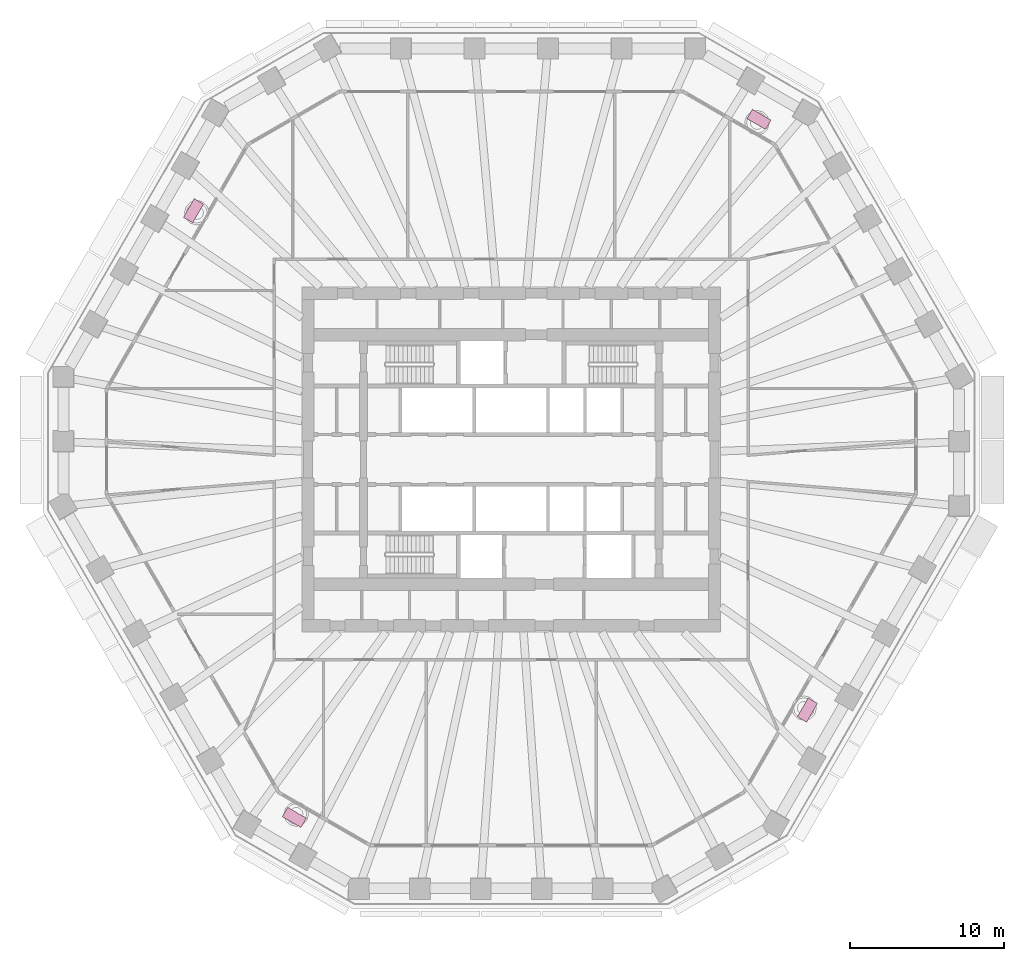
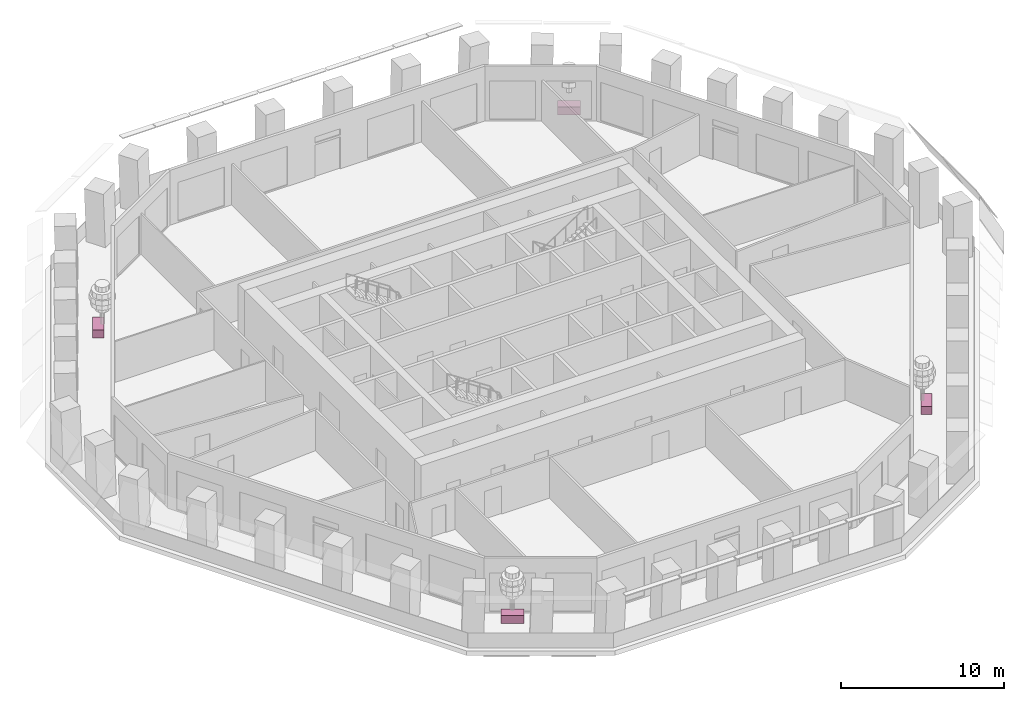
# One storey, part 12 of 13: 4 furniture elements.
"""IFC4 building model written with IfcOpenShell, lengths in metres."""

from ifc_helpers import new_model, si_unit, direction, frame, origin, origin_2d, place, context, subcontext, project, spatial, rectangle, extrude, material, type_object, element, save


model = new_model("IFC4")

# Units and contexts
model_context = context("Model", 3, precision=1e-05, world=origin(), true_north=direction((0.0, 1.0)))
body_context = subcontext(model_context, "Body", "Model", "MODEL_VIEW")
ifc_project = project(units=[si_unit("LENGTHUNIT", "METRE"), si_unit("AREAUNIT", "SQUARE_METRE"), si_unit("VOLUMEUNIT", "CUBIC_METRE"), si_unit("PLANEANGLEUNIT", "RADIAN"), si_unit("MASSUNIT", "GRAM", prefix="KILO")], contexts=[model_context])

# Site, building, storey
site_placement = place(None, origin())
site = spatial("IfcSite", under=ifc_project, at=site_placement, CompositionType="ELEMENT")
building_placement = place(site_placement, origin())
building = spatial("IfcBuilding", under=site, at=building_placement, Name="Frailejon Research Tower", CompositionType="ELEMENT")
storey_placement = place(building_placement, frame((0.0, 0.0, 117.60009765625)))
storey = spatial("IfcBuildingStorey", under=building, at=storey_placement, Name="L25", CompositionType="ELEMENT", Elevation=117.60009765625)

# Furniture
ifc_material = material(Name="Precast concrete C30/37 planter, terracotta", Category="masonry")
furniture_type = type_object("IfcFurnitureType", Name="Loggia planter 1400x700", AssemblyPlace="NOTDEFINED", PredefinedType="USERDEFINED", material=ifc_material)
for number, where, z_axis, x_axis, name in (
    (1, (16.091796875, 22.0947265625, -0.000244140625), (0.0, 0.0, 1.0), (-0.866025403784, 0.5, 0.0), "Planter L25"),
    (2, (-20.64111328125, 16.161376953125, -0.000244140625), (0.0, 0.0, 1.0), (-0.5, -0.866025403784, 0.0), "Planter L25"),
    (3, (-14.088623046875, -23.251220703125, -0.000244140625), (0.0, 0.0, 1.0), (0.866025403784, -0.5, 0.0), "Planter L25"),
    (4, (19.239013671875, -16.277099609375, -0.000244140625), (0.0, 0.0, 1.0), (0.5, 0.866025403784, 0.0), "Planter L25"),
):
    element("IfcFurniture", number, at=place(storey_placement, frame(where, z_axis=z_axis, x_axis=x_axis)), inside=storey, type_object=furniture_type, Name=name, ObjectType="PLANTER", PredefinedType="USERDEFINED", context=body_context, shape_type="SweptSolid", body=[
        extrude(rectangle(XDim=1.39990234375, YDim=0.699951171875, at=origin_2d()), origin(), (0.0, 0.0, 1.0), 0.60009765625),
    ])

save(model, "model.ifc")
